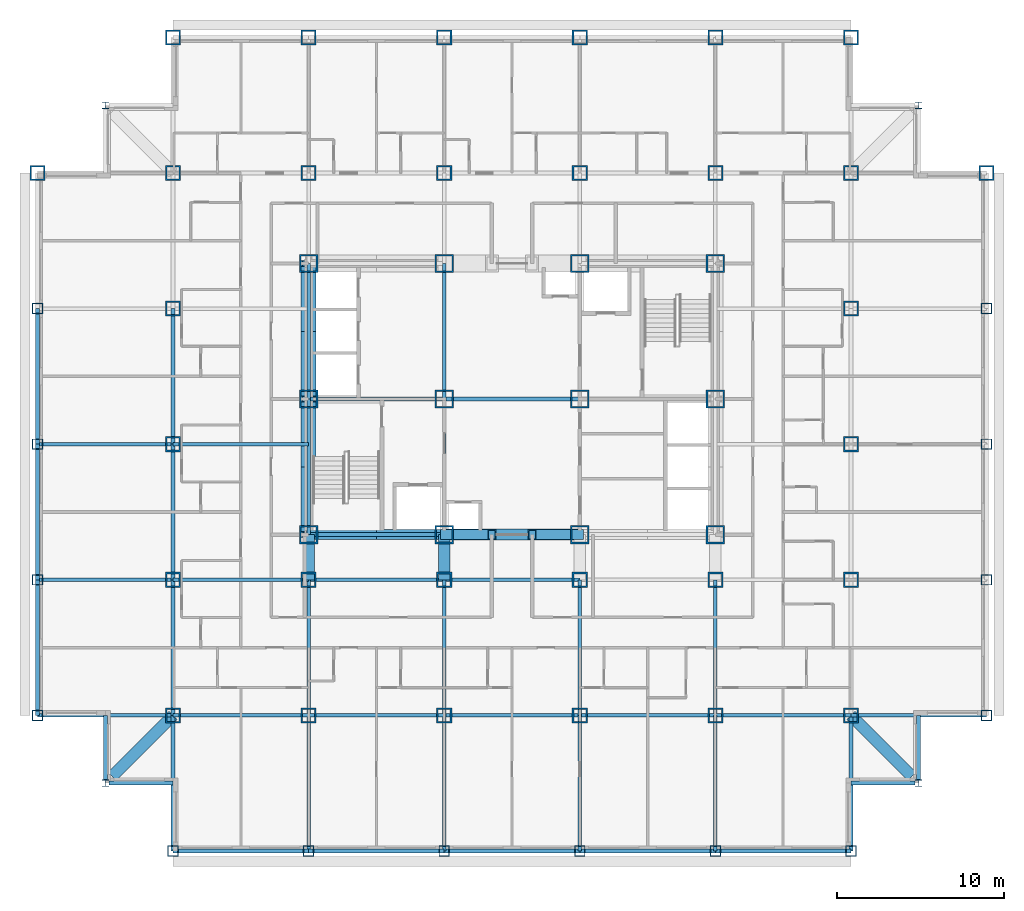
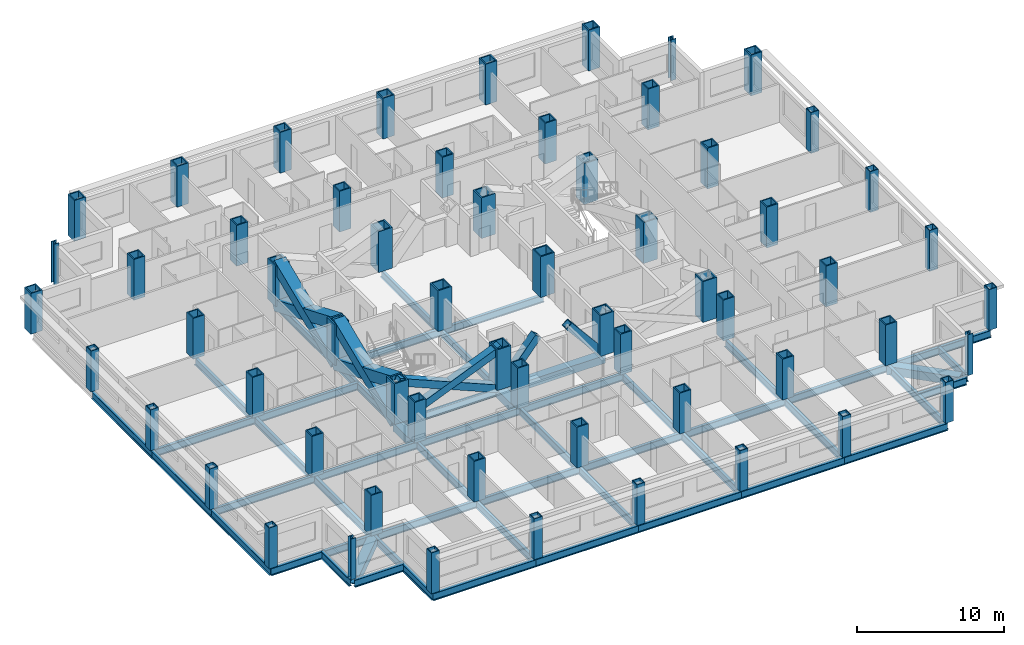
# One storey, part 1 of 12: 60 columns, 50 beams, 8 members.
"""IFC4 building model written with IfcOpenShell, lengths in metres."""

import ifcopenshell
import ifcopenshell.guid

model = None  # the IFC model being written
_history = None  # IfcOwnerHistory: only IFC2X3 demands one
_inside = {}  # id of a spatial element -> (the spatial element, [elements in it])
_under = {}  # id of a project, library or spatial element -> (it, [spatial elements below it])
_declared = {}  # id of a project -> (the project, [libraries it declares])
_typed = {}  # id of a type object -> (the type object, [elements of that type])
_made_of = {}  # id of a material, layer set ... -> (it, [elements and type objects made of it])


def new_model(schema):
    """Start an empty IFC model of exactly this schema.

    Asked for "IFC4X3", IfcOpenShell would pick the latest addendum, in which some entities
    have other attributes; the version numbers below select the first issue.
    IFC2X3 requires an IfcOwnerHistory on every rooted entity: one is made here for all.
    """
    global model, _history
    if schema == "IFC4X3":
        model = ifcopenshell.file(schema_version=(4, 3, 0, 0))
    else:
        model = ifcopenshell.file(schema=schema)
    _inside.clear()
    _under.clear()
    _declared.clear()
    _typed.clear()
    _made_of.clear()
    _history = None
    if model.schema == "IFC2X3":
        org = make("IfcOrganization", Name="unknown")
        user = make(
            "IfcPersonAndOrganization",
            ThePerson=make("IfcPerson", FamilyName="unknown"),
            TheOrganization=org,
        )
        app = make(
            "IfcApplication",
            ApplicationDeveloper=org,
            Version="unknown",
            ApplicationFullName="unknown",
            ApplicationIdentifier="unknown",
        )
        _history = make(
            "IfcOwnerHistory",
            OwningUser=user,
            OwningApplication=app,
            ChangeAction="ADDED",
            CreationDate=0,
        )
    return model


def make(cls, **values):
    """One entity of the class cls with the attributes given. An attribute that is None is left unset."""
    return model.create_entity(
        cls, **{name: value for name, value in values.items() if value is not None}
    )


def rooted(cls, **values):
    """An entity with a GlobalId (a new one), such as an element, a storey or a relation."""
    return make(cls, GlobalId=ifcopenshell.guid.new(), OwnerHistory=_history, **values)


def si_unit(unit_type, name, prefix=None):
    """IfcSIUnit, for example si_unit("LENGTHUNIT", "METRE", prefix="MILLI")."""
    return make("IfcSIUnit", UnitType=unit_type, Prefix=prefix, Name=name)


def assignment(units):
    """IfcUnitAssignment: the units of a project."""
    return None if units is None else make("IfcUnitAssignment", Units=units)


def point(xyz):
    """IfcCartesianPoint."""
    return None if xyz is None else make("IfcCartesianPoint", Coordinates=xyz)


def direction(xyz):
    """IfcDirection."""
    return None if xyz is None else make("IfcDirection", DirectionRatios=xyz)


def frame(location, z_axis=None, x_axis=None):
    """IfcAxis2Placement3D, a coordinate frame: its origin and axes. An axis left out is left unset."""
    return make(
        "IfcAxis2Placement3D",
        Location=point(location),
        Axis=direction(z_axis),
        RefDirection=direction(x_axis),
    )


def frame_2d(location, x_axis=None):
    """IfcAxis2Placement2D, a coordinate frame in the plane: its origin and x axis."""
    return make(
        "IfcAxis2Placement2D", Location=point(location), RefDirection=direction(x_axis)
    )


def origin():
    """The frame at (0, 0, 0) with its axes left unset."""
    return frame((0.0, 0.0, 0.0))


def origin_2d():
    """The frame at (0, 0) in the plane with its x axis left unset."""
    return frame_2d((0.0, 0.0))


def place(relative_to, where):
    """IfcLocalPlacement: puts the frame where relative to a parent placement (None: the world)."""
    return make(
        "IfcLocalPlacement", PlacementRelTo=relative_to, RelativePlacement=where
    )


def context(
    kind, dimensions, precision=None, world=None, true_north=None, identifier=None
):
    """IfcGeometricRepresentationContext, for example the 3D "Model" context."""
    return make(
        "IfcGeometricRepresentationContext",
        ContextIdentifier=identifier,
        ContextType=kind,
        CoordinateSpaceDimension=dimensions,
        Precision=precision,
        WorldCoordinateSystem=world,
        TrueNorth=true_north,
    )


def subcontext(parent, identifier, kind, view, scale=None):
    """IfcGeometricRepresentationSubContext, for example "Body" below "Model"."""
    return make(
        "IfcGeometricRepresentationSubContext",
        ContextIdentifier=identifier,
        ContextType=kind,
        ParentContext=parent,
        TargetScale=scale,
        TargetView=view,
    )


def project(units=None, contexts=None):
    """IfcProject with its units and contexts."""
    return rooted(
        "IfcProject",
        Name="project",
        RepresentationContexts=contexts,
        UnitsInContext=assignment(units),
    )


def spatial(cls, under=None, at=None, **own):
    """A site, building, storey or space (cls), placed at a placement, below another one or the project."""
    s = rooted(cls, ObjectPlacement=at, **own)
    if under is not None:
        _under.setdefault(under.id(), (under, []))[1].append(s)
    return s


def profile(cls, at=None, kind="AREA", **sizes):
    """A parametric profile (cls). Its sizes go by their IFC names, for example OverallWidth=200.0."""
    return make(cls, ProfileType=kind, Position=at, **sizes)


def hollow_rectangle(**sizes):
    """IfcRectangleHollowProfileDef."""
    return profile("IfcRectangleHollowProfileDef", **sizes)


def i_section(**sizes):
    """IfcIShapeProfileDef."""
    return profile("IfcIShapeProfileDef", **sizes)


def extrude(swept, where, along, depth):
    """IfcExtrudedAreaSolid: the profile swept, set in the frame where, extruded along a direction by depth."""
    return make(
        "IfcExtrudedAreaSolid",
        SweptArea=swept,
        Position=where,
        ExtrudedDirection=direction(along),
        Depth=depth,
    )


def shape(context_of_items, identifier, shape_type, items):
    """IfcShapeRepresentation: the items that make up one representation, for example the "Body"."""
    return make(
        "IfcShapeRepresentation",
        ContextOfItems=context_of_items,
        RepresentationIdentifier=identifier,
        RepresentationType=shape_type,
        Items=items,
    )


def material(Name=None, Category=None):
    """IfcMaterial."""
    return make("IfcMaterial", Name=Name, Category=Category)


def material_profile(
    of_material, cross_section, Name=None, Category=None, Priority=None
):
    """IfcMaterialProfile: a cross section and its material."""
    return make(
        "IfcMaterialProfile",
        Name=Name,
        Material=of_material,
        Profile=cross_section,
        Priority=Priority,
        Category=Category,
    )


def profile_set(profiles, Name=None, composite=None):
    """IfcMaterialProfileSet."""
    return make(
        "IfcMaterialProfileSet",
        Name=Name,
        MaterialProfiles=profiles,
        CompositeProfile=composite,
    )


def made_of(thing, what):
    """Note that an element or type object is made of a material, layer set ...; save() writes the relation."""
    if what is not None:
        _made_of.setdefault(what.id(), (what, []))[1].append(thing)
    return thing


def type_object(cls, material=None, **own):
    """A type object (cls), such as IfcWallType, which elements share."""
    return made_of(rooted(cls, **own), material)


def element(
    cls,
    number,
    at=None,
    inside=None,
    cuts=None,
    type_object=None,
    material=None,
    context=None,
    identifier="Body",
    shape_type=None,
    held_by="IfcProductDefinitionShape",
    body=None,
    shapes=None,
    **own,
):
    """One element of the class cls, such as IfcWall. Its Tag is "e" and its number.

    at: its placement. inside: the storey or other place that contains it. cuts: it is an
    opening in that element (IfcRelVoidsElement). A single representation is given by context,
    identifier, shape_type and body (its items); several are given by shapes. held_by: the class
    of the entity that holds the representations. save() writes the other relations.
    """
    e = rooted(cls, Tag="e%d" % number, ObjectPlacement=at, **own)
    if body is not None:
        shapes = [shape(context, identifier, shape_type, body)]
    if shapes is not None:
        e.Representation = make(held_by, Representations=shapes)
    if inside is not None:
        _inside.setdefault(inside.id(), (inside, []))[1].append(e)
    if cuts is not None:
        rooted(
            "IfcRelVoidsElement", RelatingBuildingElement=cuts, RelatedOpeningElement=e
        )
    if type_object is not None:
        _typed.setdefault(type_object.id(), (type_object, []))[1].append(e)
    return made_of(e, material)


def aggregate(whole, parts):
    """IfcRelAggregates: a whole, such as a stair, and the parts it consists of."""
    return rooted("IfcRelAggregates", RelatingObject=whole, RelatedObjects=parts)


def save(model, path):
    """Write the relations noted so far, then the file.

    IfcRelAggregates (storeys below a building ...), IfcRelContainedInSpatialStructure (elements
    in a storey), IfcRelDefinesByType, IfcRelAssociatesMaterial and IfcRelDeclares: one each for
    every whole, place, type object, material and project.
    """
    for whole, parts in _under.values():
        aggregate(whole, parts)
    for where, things in _inside.values():
        rooted(
            "IfcRelContainedInSpatialStructure",
            RelatedElements=things,
            RelatingStructure=where,
        )
    for kind, things in _typed.values():
        rooted("IfcRelDefinesByType", RelatedObjects=things, RelatingType=kind)
    for what, things in _made_of.values():
        rooted("IfcRelAssociatesMaterial", RelatedObjects=things, RelatingMaterial=what)
    for by, libraries in _declared.values():
        rooted("IfcRelDeclares", RelatingContext=by, RelatedDefinitions=libraries)
    model.write(path)


model = new_model("IFC4")

# Units and contexts
model_context = context("Model", 3, precision=1e-05, world=origin(), true_north=direction((0.0, 1.0)))
body_context = subcontext(model_context, "Body", "Model", "MODEL_VIEW")
ifc_project = project(units=[si_unit("LENGTHUNIT", "METRE"), si_unit("AREAUNIT", "SQUARE_METRE"), si_unit("VOLUMEUNIT", "CUBIC_METRE"), si_unit("PLANEANGLEUNIT", "RADIAN"), si_unit("MASSUNIT", "GRAM", prefix="KILO")], contexts=[model_context])

# Site, building, storey
site_placement = place(None, origin())
site = spatial("IfcSite", under=ifc_project, at=site_placement, CompositionType="ELEMENT")
building_placement = place(site_placement, origin())
building = spatial("IfcBuilding", under=site, at=building_placement, Name="Kopane Lantern Tower", CompositionType="ELEMENT")
storey_placement = place(building_placement, frame((0.0, 0.0, 117.0)))
storey = spatial("IfcBuildingStorey", under=building, at=storey_placement, Name="L29", CompositionType="ELEMENT", Elevation=117.0)

# Columns
ifc_material_1 = material(Name="Steel S355JR", Category="steel")
ifc_material_profile_1 = material_profile(ifc_material_1, hollow_rectangle(XDim=1.10009765625, YDim=1.10009765625, WallThickness=0.10009765625, at=origin_2d()), Name="BOX 1100x1100x100")
ifc_profile_set_1 = profile_set([ifc_material_profile_1], Name="Steel S355JR")
column_type_1 = type_object("IfcColumnType", Name="COLUMN BOX 1100x1100x100", PredefinedType="COLUMN", material=ifc_profile_set_1)
for number, where, z_axis, x_axis, name in (
    (1, (16.199951171875, 24.300048828125, 0.0), (0.0, 0.0, 1.0), (1.0, 0.0, 0.0), "Column 4/E L29"),
    (2, (16.199951171875, 32.39990234375, 0.0), (0.0, 0.0, 1.0), (1.0, 0.0, 0.0), "Column 4/F L29"),
    (3, (16.199951171875, 40.5, 0.0), (0.0, 0.0, 1.0), (1.0, 0.0, 0.0), "Column 4/G L29"),
    (4, (24.300048828125, 24.300048828125, 0.0), (0.0, 0.0, 1.0), (1.0, 0.0, 0.0), "Column 5/E L29"),
    (5, (24.300048828125, 32.39990234375, 0.0), (0.0, 0.0, 1.0), (1.0, 0.0, 0.0), "Column 5/F L29"),
    (6, (24.300048828125, 40.5, 0.0), (0.0, 0.0, 1.0), (1.0, 0.0, 0.0), "Column 5/G L29"),
    (7, (32.39990234375, 24.300048828125, 0.0), (0.0, 0.0, 1.0), (1.0, 0.0, 0.0), "Column 6/E L29"),
    (8, (32.39990234375, 32.39990234375, 0.0), (0.0, 0.0, 1.0), (1.0, 0.0, 0.0), "Column 6/F L29"),
    (9, (32.39990234375, 40.5, 0.0), (0.0, 0.0, 1.0), (1.0, 0.0, 0.0), "Column 6/G L29"),
    (10, (40.5, 24.300048828125, 0.0), (0.0, 0.0, 1.0), (1.0, 0.0, 0.0), "Column 7/E L29"),
    (11, (40.5, 32.39990234375, 0.0), (0.0, 0.0, 1.0), (1.0, 0.0, 0.0), "Column 7/F L29"),
    (12, (40.5, 40.5, 0.0), (0.0, 0.0, 1.0), (1.0, 0.0, 0.0), "Column 7/G L29"),
):
    element("IfcColumn", number, at=place(storey_placement, frame(where, z_axis=z_axis, x_axis=x_axis)), inside=storey, type_object=column_type_1, Name=name, PredefinedType="COLUMN", context=body_context, shape_type="SweptSolid", body=[
        extrude(hollow_rectangle(XDim=1.10009765625, YDim=1.10009765625, WallThickness=0.10009765625, at=origin_2d()), origin(), (0.0, 0.0, 1.0), 3.39990234375),
    ])
ifc_material_2 = material(Name="Steel S355JR", Category="steel")
ifc_material_profile_2 = material_profile(ifc_material_2, hollow_rectangle(XDim=0.64990234375, YDim=0.64990234375, WallThickness=0.054931640625, at=origin_2d()), Name="BOX 650x650x55")
ifc_profile_set_2 = profile_set([ifc_material_profile_2], Name="Steel S355JR")
column_type_2 = type_object("IfcColumnType", Name="COLUMN BOX 650x650x55", PredefinedType="COLUMN", material=ifc_profile_set_2)
for number, where, z_axis, x_axis, name in (
    (13, (0.0, 13.5, 0.0), (0.0, 0.0, 1.0), (1.0, 0.0, 0.0), "Column 2/P2 L29"),
    (14, (0.0, 21.60009765625, 0.0), (0.0, 0.0, 1.0), (1.0, 0.0, 0.0), "Column 2/P3 L29"),
    (15, (0.0, 29.699951171875, 0.0), (0.0, 0.0, 1.0), (1.0, 0.0, 0.0), "Column 2/P4 L29"),
    (16, (0.0, 37.800048828125, 0.0), (0.0, 0.0, 1.0), (1.0, 0.0, 0.0), "Column 2/P5 L29"),
    (17, (8.10009765625, 5.39990234375, 0.0), (0.0, 0.0, 1.0), (1.0, 0.0, 0.0), "Column 3/P1 L29"),
    (18, (16.199951171875, 5.39990234375, 0.0), (0.0, 0.0, 1.0), (1.0, 0.0, 0.0), "Column 4/P1 L29"),
    (19, (24.300048828125, 5.39990234375, 0.0), (0.0, 0.0, 1.0), (1.0, 0.0, 0.0), "Column 5/P1 L29"),
    (20, (32.39990234375, 5.39990234375, 0.0), (0.0, 0.0, 1.0), (1.0, 0.0, 0.0), "Column 6/P1 L29"),
    (21, (40.5, 5.39990234375, 0.0), (0.0, 0.0, 1.0), (1.0, 0.0, 0.0), "Column 7/P1 L29"),
    (22, (48.60009765625, 5.39990234375, 0.0), (0.0, 0.0, 1.0), (1.0, 0.0, 0.0), "Column 8/P1 L29"),
    (23, (56.699951171875, 13.5, 0.0), (0.0, 0.0, 1.0), (1.0, 0.0, 0.0), "Column 9/P2 L29"),
    (24, (56.699951171875, 21.60009765625, 0.0), (0.0, 0.0, 1.0), (1.0, 0.0, 0.0), "Column 9/P3 L29"),
    (25, (56.699951171875, 29.699951171875, 0.0), (0.0, 0.0, 1.0), (1.0, 0.0, 0.0), "Column 9/P4 L29"),
    (26, (56.699951171875, 37.800048828125, 0.0), (0.0, 0.0, 1.0), (1.0, 0.0, 0.0), "Column 9/P5 L29"),
):
    element("IfcColumn", number, at=place(storey_placement, frame(where, z_axis=z_axis, x_axis=x_axis)), inside=storey, type_object=column_type_2, Name=name, PredefinedType="COLUMN", context=body_context, shape_type="SweptSolid", body=[
        extrude(hollow_rectangle(XDim=0.64990234375, YDim=0.64990234375, WallThickness=0.054931640625, at=origin_2d()), origin(), (0.0, 0.0, 1.0), 3.39990234375),
    ])
ifc_material_3 = material(Name="Steel S355JR", Category="steel")
ifc_material_profile_3 = material_profile(ifc_material_3, hollow_rectangle(XDim=0.89990234375, YDim=0.89990234375, WallThickness=0.090087890625, at=origin_2d()), Name="BOX 900x900x90")
ifc_profile_set_3 = profile_set([ifc_material_profile_3], Name="Steel S355JR")
column_type_3 = type_object("IfcColumnType", Name="COLUMN BOX 900x900x90", PredefinedType="COLUMN", material=ifc_profile_set_3)
for number, where, z_axis, x_axis, name in (
    (27, (0.0, 45.89990234375, 0.0), (0.0, 0.0, 1.0), (1.0, 0.0, 0.0), "Column 2/P6 L29"),
    (28, (8.10009765625, 13.5, 0.0), (0.0, 0.0, 1.0), (1.0, 0.0, 0.0), "Column 3/P2 L29"),
    (29, (8.10009765625, 21.60009765625, 0.0), (0.0, 0.0, 1.0), (1.0, 0.0, 0.0), "Column 3/P3 L29"),
    (30, (8.10009765625, 29.699951171875, 0.0), (0.0, 0.0, 1.0), (1.0, 0.0, 0.0), "Column 3/P4 L29"),
    (31, (8.10009765625, 37.800048828125, 0.0), (0.0, 0.0, 1.0), (1.0, 0.0, 0.0), "Column 3/P5 L29"),
    (32, (8.10009765625, 45.89990234375, 0.0), (0.0, 0.0, 1.0), (1.0, 0.0, 0.0), "Column 3/P6 L29"),
    (33, (8.10009765625, 54.0, 0.0), (0.0, 0.0, 1.0), (1.0, 0.0, 0.0), "Column 3/P7 L29"),
    (34, (16.199951171875, 13.5, 0.0), (0.0, 0.0, 1.0), (1.0, 0.0, 0.0), "Column 4/P2 L29"),
    (35, (16.199951171875, 21.60009765625, 0.0), (0.0, 0.0, 1.0), (1.0, 0.0, 0.0), "Column 4/P3 L29"),
    (36, (16.199951171875, 45.89990234375, 0.0), (0.0, 0.0, 1.0), (1.0, 0.0, 0.0), "Column 4/P6 L29"),
    (37, (16.199951171875, 54.0, 0.0), (0.0, 0.0, 1.0), (1.0, 0.0, 0.0), "Column 4/P7 L29"),
    (38, (24.300048828125, 13.5, 0.0), (0.0, 0.0, 1.0), (1.0, 0.0, 0.0), "Column 5/P2 L29"),
    (39, (24.300048828125, 21.60009765625, 0.0), (0.0, 0.0, 1.0), (1.0, 0.0, 0.0), "Column 5/P3 L29"),
    (40, (24.300048828125, 45.89990234375, 0.0), (0.0, 0.0, 1.0), (1.0, 0.0, 0.0), "Column 5/P6 L29"),
    (41, (24.300048828125, 54.0, 0.0), (0.0, 0.0, 1.0), (1.0, 0.0, 0.0), "Column 5/P7 L29"),
    (42, (32.39990234375, 13.5, 0.0), (0.0, 0.0, 1.0), (1.0, 0.0, 0.0), "Column 6/P2 L29"),
    (43, (32.39990234375, 21.60009765625, 0.0), (0.0, 0.0, 1.0), (1.0, 0.0, 0.0), "Column 6/P3 L29"),
    (44, (32.39990234375, 45.89990234375, 0.0), (0.0, 0.0, 1.0), (1.0, 0.0, 0.0), "Column 6/P6 L29"),
    (45, (32.39990234375, 54.0, 0.0), (0.0, 0.0, 1.0), (1.0, 0.0, 0.0), "Column 6/P7 L29"),
    (46, (40.5, 13.5, 0.0), (0.0, 0.0, 1.0), (1.0, 0.0, 0.0), "Column 7/P2 L29"),
    (47, (40.5, 21.60009765625, 0.0), (0.0, 0.0, 1.0), (1.0, 0.0, 0.0), "Column 7/P3 L29"),
    (48, (40.5, 45.89990234375, 0.0), (0.0, 0.0, 1.0), (1.0, 0.0, 0.0), "Column 7/P6 L29"),
    (49, (40.5, 54.0, 0.0), (0.0, 0.0, 1.0), (1.0, 0.0, 0.0), "Column 7/P7 L29"),
    (50, (48.60009765625, 13.5, 0.0), (0.0, 0.0, 1.0), (1.0, 0.0, 0.0), "Column 8/P2 L29"),
    (51, (48.60009765625, 21.60009765625, 0.0), (0.0, 0.0, 1.0), (1.0, 0.0, 0.0), "Column 8/P3 L29"),
    (52, (48.60009765625, 29.699951171875, 0.0), (0.0, 0.0, 1.0), (1.0, 0.0, 0.0), "Column 8/P4 L29"),
    (53, (48.60009765625, 37.800048828125, 0.0), (0.0, 0.0, 1.0), (1.0, 0.0, 0.0), "Column 8/P5 L29"),
    (54, (48.60009765625, 45.89990234375, 0.0), (0.0, 0.0, 1.0), (1.0, 0.0, 0.0), "Column 8/P6 L29"),
    (55, (48.60009765625, 54.0, 0.0), (0.0, 0.0, 1.0), (1.0, 0.0, 0.0), "Column 8/P7 L29"),
    (56, (56.699951171875, 45.89990234375, 0.0), (0.0, 0.0, 1.0), (1.0, 0.0, 0.0), "Column 9/P6 L29"),
):
    element("IfcColumn", number, at=place(storey_placement, frame(where, z_axis=z_axis, x_axis=x_axis)), inside=storey, type_object=column_type_3, Name=name, PredefinedType="COLUMN", context=body_context, shape_type="SweptSolid", body=[
        extrude(hollow_rectangle(XDim=0.89990234375, YDim=0.89990234375, WallThickness=0.090087890625, at=origin_2d()), origin(), (0.0, 0.0, 1.0), 3.39990234375),
    ])
ifc_material_4 = material(Name="Steel S355JR", Category="steel")
ifc_material_profile_4 = material_profile(ifc_material_4, i_section(OverallWidth=0.406982421875, OverallDepth=0.4189453125, WebThickness=0.030517578125, FlangeThickness=0.04931640625, FilletRadius=0.01513671875, at=origin_2d()), Name="UC 356x406x393")
ifc_profile_set_4 = profile_set([ifc_material_profile_4], Name="Steel S355JR")
column_type_4 = type_object("IfcColumnType", Name="COLUMN UC 356x406x393", PredefinedType="COLUMN", material=ifc_profile_set_4)
for number, where, z_axis, x_axis, name in (
    (57, (4.050048828125, 9.449951171875, 0.0), (0.0, 0.0, 1.0), (1.0, 0.0, 0.0), "Column 4.05/9.45 L29"),
    (58, (4.050048828125, 49.949951171875, 0.0), (0.0, 0.0, 1.0), (1.0, 0.0, 0.0), "Column 4.05/49.95 L29"),
    (59, (52.64990234375, 9.449951171875, 0.0), (0.0, 0.0, 1.0), (1.0, 0.0, 0.0), "Column 52.65/9.45 L29"),
    (60, (52.64990234375, 49.949951171875, 0.0), (0.0, 0.0, 1.0), (1.0, 0.0, 0.0), "Column 52.65/49.95 L29"),
):
    element("IfcColumn", number, at=place(storey_placement, frame(where, z_axis=z_axis, x_axis=x_axis)), inside=storey, type_object=column_type_4, Name=name, PredefinedType="COLUMN", context=body_context, shape_type="SweptSolid", body=[
        extrude(i_section(OverallWidth=0.406982421875, OverallDepth=0.4189453125, WebThickness=0.030517578125, FlangeThickness=0.04931640625, FilletRadius=0.01513671875, at=origin_2d()), origin(), (0.0, 0.0, 1.0), 3.39990234375),
    ])

# Members
ifc_material_5 = material(Name="Steel S355JR", Category="steel")
ifc_material_profile_5 = material_profile(ifc_material_5, hollow_rectangle(XDim=0.60009765625, YDim=0.60009765625, WallThickness=0.050048828125, at=origin_2d()), Name="BOX 600x600x50")
ifc_profile_set_5 = profile_set([ifc_material_profile_5], Name="Steel S355JR")
member_type_1 = type_object("IfcMemberType", Name="BRACE BOX 600x600x50", PredefinedType="BRACE", material=ifc_profile_set_5)
for number, where, z_axis, x_axis, name in (
    (61, (16.199951171875, 24.300048828125, -0.2099609375), (0.922069000757, 0.0, 0.387025526088), (0.0, 1.0, 0.0), "Core brace L29"),
    (62, (24.300048828125, 24.300048828125, -0.2099609375), (-0.922069000757, 0.0, 0.387025526088), (0.0, -1.0, 0.0), "Core brace L29"),
):
    element("IfcMember", number, at=place(storey_placement, frame(where, z_axis=z_axis, x_axis=x_axis)), inside=storey, type_object=member_type_1, Name=name, PredefinedType="BRACE", context=body_context, shape_type="SweptSolid", body=[
        extrude(hollow_rectangle(XDim=0.60009765625, YDim=0.60009765625, WallThickness=0.050048828125, at=origin_2d()), origin(), (0.0, 0.0, 1.0), 8.78466796875),
    ])
for number, where, z_axis, x_axis, name in (
    (63, (24.300048828125, 24.300048828125, -0.2099609375), (0.642390257445, 0.0, 0.7663776857), (0.0, 1.0, 0.0), "Core brace L29"),
    (64, (32.39990234375, 24.300048828125, -0.2099609375), (-0.642390257445, 0.0, 0.7663776857), (0.0, -1.0, 0.0), "Core brace L29"),
):
    element("IfcMember", number, at=place(storey_placement, frame(where, z_axis=z_axis, x_axis=x_axis)), inside=storey, type_object=member_type_1, Name=name, PredefinedType="BRACE", context=body_context, shape_type="SweptSolid", body=[
        extrude(hollow_rectangle(XDim=0.60009765625, YDim=0.60009765625, WallThickness=0.050048828125, at=origin_2d()), origin(), (0.0, 0.0, 1.0), 4.436279296875),
    ])
ifc_material_6 = material(Name="Steel S355JR", Category="steel")
ifc_material_profile_6 = material_profile(ifc_material_6, hollow_rectangle(XDim=0.89990234375, YDim=0.89990234375, WallThickness=0.090087890625, at=origin_2d()), Name="BOX 900x900x90")
ifc_profile_set_6 = profile_set([ifc_material_profile_6], Name="Steel S355JR")
member_type_2 = type_object("IfcMemberType", Name="BRACE BOX 900x900x90", PredefinedType="BRACE", material=ifc_profile_set_6)
for number, where, z_axis, x_axis, name in (
    (65, (16.199951171875, 24.300048828125, -0.2099609375), (0.0, 0.922064837731, 0.38703544414), (-1.0, 0.0, 0.0), "Core brace L29"),
    (66, (16.199951171875, 32.39990234375, -0.2099609375), (0.0, -0.922064837731, 0.38703544414), (1.0, 0.0, 0.0), "Core brace L29"),
):
    element("IfcMember", number, at=place(storey_placement, frame(where, z_axis=z_axis, x_axis=x_axis)), inside=storey, type_object=member_type_2, Name=name, PredefinedType="BRACE", context=body_context, shape_type="SweptSolid", body=[
        extrude(hollow_rectangle(XDim=0.89990234375, YDim=0.89990234375, WallThickness=0.090087890625, at=origin_2d()), origin(), (0.0, 0.0, 1.0), 8.784423828125),
    ])
for number, where, z_axis, x_axis, name in (
    (67, (16.199951171875, 32.39990234375, -0.2099609375), (0.0, 0.922069000757, 0.387025526088), (-1.0, 0.0, 0.0), "Core brace L29"),
    (68, (16.199951171875, 40.5, -0.2099609375), (0.0, -0.922069000757, 0.387025526088), (1.0, 0.0, 0.0), "Core brace L29"),
):
    element("IfcMember", number, at=place(storey_placement, frame(where, z_axis=z_axis, x_axis=x_axis)), inside=storey, type_object=member_type_2, Name=name, PredefinedType="BRACE", context=body_context, shape_type="SweptSolid", body=[
        extrude(hollow_rectangle(XDim=0.89990234375, YDim=0.89990234375, WallThickness=0.090087890625, at=origin_2d()), origin(), (0.0, 0.0, 1.0), 8.78466796875),
    ])

# Beams
ifc_material_7 = material(Name="Steel S355JR", Category="steel")
ifc_material_profile_7 = material_profile(ifc_material_7, i_section(OverallWidth=0.22900390625, OverallDepth=0.6123046875, WebThickness=0.011962890625, FlangeThickness=0.01953125, FilletRadius=0.0126953125, at=origin_2d()), Name="UB 610x229x125")
ifc_profile_set_7 = profile_set([ifc_material_profile_7], Name="Steel S355JR")
beam_type_1 = type_object("IfcBeamType", Name="CORE BEAM UB 610x229x125", PredefinedType="BEAM", material=ifc_profile_set_7)
beam_1_placement = place(storey_placement, frame((16.199951171875, 32.39990234375, -0.51611328125), z_axis=(1.0, 0.0, 0.0), x_axis=(0.0, 1.0, 0.0)))
element("IfcBeam", 69, at=beam_1_placement, inside=storey, type_object=beam_type_1, Name="Core Beam L29", PredefinedType="BEAM", context=body_context, shape_type="SweptSolid", body=[
    extrude(i_section(OverallWidth=0.22900390625, OverallDepth=0.6123046875, WebThickness=0.011962890625, FlangeThickness=0.01953125, FilletRadius=0.0126953125, at=origin_2d()), origin(), (0.0, 0.0, 1.0), 8.10009765625),
])
beam_2_placement = place(storey_placement, frame((24.300048828125, 24.300048828125, -0.51611328125), z_axis=(0.0, 1.0, 0.0), x_axis=(-1.0, 0.0, 0.0)))
element("IfcBeam", 70, at=beam_2_placement, inside=storey, type_object=beam_type_1, Name="Core Beam L29", PredefinedType="BEAM", context=body_context, shape_type="SweptSolid", body=[
    extrude(i_section(OverallWidth=0.22900390625, OverallDepth=0.6123046875, WebThickness=0.011962890625, FlangeThickness=0.01953125, FilletRadius=0.0126953125, at=origin_2d()), origin(), (0.0, 0.0, 1.0), 8.099853515625),
])
beam_3_placement = place(storey_placement, frame((24.300048828125, 32.39990234375, -0.51611328125), z_axis=(0.0, 1.0, 0.0), x_axis=(-1.0, 0.0, 0.0)))
element("IfcBeam", 71, at=beam_3_placement, inside=storey, type_object=beam_type_1, Name="Core Beam L29", PredefinedType="BEAM", context=body_context, shape_type="SweptSolid", body=[
    extrude(i_section(OverallWidth=0.22900390625, OverallDepth=0.6123046875, WebThickness=0.011962890625, FlangeThickness=0.01953125, FilletRadius=0.0126953125, at=origin_2d()), origin(), (0.0, 0.0, 1.0), 8.10009765625),
])
beam_4_placement = place(storey_placement, frame((24.300048828125, 32.39990234375, -0.51611328125), z_axis=(1.0, 0.0, 0.0), x_axis=(0.0, 1.0, 0.0)))
element("IfcBeam", 72, at=beam_4_placement, inside=storey, type_object=beam_type_1, Name="Core Beam L29", PredefinedType="BEAM", context=body_context, shape_type="SweptSolid", body=[
    extrude(i_section(OverallWidth=0.22900390625, OverallDepth=0.6123046875, WebThickness=0.011962890625, FlangeThickness=0.01953125, FilletRadius=0.0126953125, at=origin_2d()), origin(), (0.0, 0.0, 1.0), 8.099853515625),
])
ifc_material_8 = material(Name="Steel S355JR", Category="steel")
ifc_material_profile_8 = material_profile(ifc_material_8, hollow_rectangle(XDim=0.699951171875, YDim=0.699951171875, WallThickness=0.06005859375, at=origin_2d()), Name="BOX 700x700x60")
ifc_profile_set_8 = profile_set([ifc_material_profile_8], Name="Steel S355JR")
beam_type_2 = type_object("IfcBeamType", Name="CORNER TIE BEAM BOX 700x700x60", PredefinedType="BEAM", material=ifc_profile_set_8)
beam_5_placement = place(storey_placement, frame((4.447509765625, 9.847412109375, -0.56005859375), z_axis=(0.707106781187, 0.707106781187, 0.0), x_axis=(-0.707106781187, 0.707106781187, 0.0)))
element("IfcBeam", 73, at=beam_5_placement, inside=storey, type_object=beam_type_2, Name="Corner Tie Beam L29", PredefinedType="BEAM", context=body_context, shape_type="SweptSolid", body=[
    extrude(hollow_rectangle(XDim=0.699951171875, YDim=0.699951171875, WallThickness=0.06005859375, at=origin_2d()), origin(), (0.0, 0.0, 1.0), 5.16552734375),
])
beam_6_placement = place(storey_placement, frame((52.25244140625, 9.847412109375, -0.56005859375), z_axis=(-0.707083148333, 0.70713041325, 0.0), x_axis=(-0.70713041325, -0.707083148333, 0.0)))
element("IfcBeam", 74, at=beam_6_placement, inside=storey, type_object=beam_type_2, Name="Corner Tie Beam L29", PredefinedType="BEAM", context=body_context, shape_type="SweptSolid", body=[
    extrude(hollow_rectangle(XDim=0.699951171875, YDim=0.699951171875, WallThickness=0.06005859375, at=origin_2d()), origin(), (0.0, 0.0, 1.0), 5.165283203125),
])
ifc_material_9 = material(Name="Steel S355JR", Category="steel")
ifc_material_profile_9 = material_profile(ifc_material_9, i_section(OverallWidth=0.22900390625, OverallDepth=0.6123046875, WebThickness=0.011962890625, FlangeThickness=0.01953125, FilletRadius=0.0126953125, at=origin_2d()), Name="UB 610x229x125")
ifc_profile_set_9 = profile_set([ifc_material_profile_9], Name="Steel S355JR")
beam_type_3 = type_object("IfcBeamType", Name="EDGE BEAM UB 610x229x125", PredefinedType="BEAM", material=ifc_profile_set_9)
beam_7_placement = place(storey_placement, frame((4.050048828125, 9.653564453125, -0.51611328125), z_axis=(0.0, 1.0, 0.0), x_axis=(-1.0, 0.0, 0.0)))
element("IfcBeam", 75, at=beam_7_placement, inside=storey, type_object=beam_type_3, Name="Edge Beam L29", PredefinedType="BEAM", context=body_context, shape_type="SweptSolid", body=[
    extrude(i_section(OverallWidth=0.22900390625, OverallDepth=0.6123046875, WebThickness=0.011962890625, FlangeThickness=0.01953125, FilletRadius=0.0126953125, at=origin_2d()), origin(), (0.0, 0.0, 1.0), 3.846435546875),
])
beam_8_placement = place(storey_placement, frame((4.25341796875, 9.449951171875, -0.51611328125), z_axis=(1.0, 0.0, 0.0), x_axis=(0.0, 1.0, 0.0)))
element("IfcBeam", 76, at=beam_8_placement, inside=storey, type_object=beam_type_3, Name="Edge Beam L29", PredefinedType="BEAM", context=body_context, shape_type="SweptSolid", body=[
    extrude(i_section(OverallWidth=0.22900390625, OverallDepth=0.6123046875, WebThickness=0.011962890625, FlangeThickness=0.01953125, FilletRadius=0.0126953125, at=origin_2d()), origin(), (0.0, 0.0, 1.0), 3.8466796875),
])
for number, where, z_axis, x_axis, name in (
    (77, (52.446533203125, 9.449951171875, -0.51611328125), (-1.0, 0.0, 0.0), (0.0, -1.0, 0.0), "Edge Beam L29"),
    (78, (52.64990234375, 9.653564453125, -0.51611328125), (0.0, 1.0, 0.0), (-1.0, 0.0, 0.0), "Edge Beam L29"),
):
    element("IfcBeam", number, at=place(storey_placement, frame(where, z_axis=z_axis, x_axis=x_axis)), inside=storey, type_object=beam_type_3, Name=name, PredefinedType="BEAM", context=body_context, shape_type="SweptSolid", body=[
        extrude(i_section(OverallWidth=0.22900390625, OverallDepth=0.6123046875, WebThickness=0.011962890625, FlangeThickness=0.01953125, FilletRadius=0.0126953125, at=origin_2d()), origin(), (0.0, 0.0, 1.0), 3.846435546875),
    ])
ifc_material_10 = material(Name="Steel S355JR", Category="steel")
ifc_material_profile_10 = material_profile(ifc_material_10, hollow_rectangle(XDim=0.699951171875, YDim=0.699951171875, WallThickness=0.06005859375, at=origin_2d()), Name="BOX 700x700x60")
ifc_profile_set_10 = profile_set([ifc_material_profile_10], Name="Steel S355JR")
beam_type_4 = type_object("IfcBeamType", Name="GIRDER BOX 700x700x60", PredefinedType="BEAM", material=ifc_profile_set_10)
for number, where, z_axis, x_axis, name in (
    (79, (16.199951171875, 21.60009765625, -0.56005859375), (0.0, 1.0, 0.0), (-1.0, 0.0, 0.0), "Girder L29"),
    (80, (24.300048828125, 21.60009765625, -0.56005859375), (0.0, 1.0, 0.0), (-1.0, 0.0, 0.0), "Girder L29"),
):
    element("IfcBeam", number, at=place(storey_placement, frame(where, z_axis=z_axis, x_axis=x_axis)), inside=storey, type_object=beam_type_4, Name=name, PredefinedType="BEAM", context=body_context, shape_type="SweptSolid", body=[
        extrude(hollow_rectangle(XDim=0.699951171875, YDim=0.699951171875, WallThickness=0.06005859375, at=origin_2d()), origin(), (0.0, 0.0, 1.0), 2.699951171875),
    ])
ifc_material_11 = material(Name="Steel S355JR", Category="steel")
ifc_material_profile_11 = material_profile(ifc_material_11, i_section(OverallWidth=0.22900390625, OverallDepth=0.6123046875, WebThickness=0.011962890625, FlangeThickness=0.01953125, FilletRadius=0.0126953125, at=origin_2d()), Name="UB 610x229x125")
ifc_profile_set_11 = profile_set([ifc_material_profile_11], Name="Steel S355JR")
beam_type_5 = type_object("IfcBeamType", Name="GIRDER UB 610x229x125", PredefinedType="BEAM", material=ifc_profile_set_11)
for number, where, z_axis, x_axis, name in (
    (81, (0.0, 13.5, -0.51611328125), (0.0, 1.0, 0.0), (-1.0, 0.0, 0.0), "Girder L29"),
    (82, (0.0, 13.5, -0.51611328125), (1.0, 0.0, 0.0), (0.0, 1.0, 0.0), "Girder L29"),
):
    element("IfcBeam", number, at=place(storey_placement, frame(where, z_axis=z_axis, x_axis=x_axis)), inside=storey, type_object=beam_type_5, Name=name, PredefinedType="BEAM", context=body_context, shape_type="SweptSolid", body=[
        extrude(i_section(OverallWidth=0.22900390625, OverallDepth=0.6123046875, WebThickness=0.011962890625, FlangeThickness=0.01953125, FilletRadius=0.0126953125, at=origin_2d()), origin(), (0.0, 0.0, 1.0), 8.10009765625),
    ])
beam_9_placement = place(storey_placement, frame((0.0, 21.60009765625, -0.51611328125), z_axis=(0.0, 1.0, 0.0), x_axis=(-1.0, 0.0, 0.0)))
element("IfcBeam", 83, at=beam_9_placement, inside=storey, type_object=beam_type_5, Name="Girder L29", PredefinedType="BEAM", context=body_context, shape_type="SweptSolid", body=[
    extrude(i_section(OverallWidth=0.22900390625, OverallDepth=0.6123046875, WebThickness=0.011962890625, FlangeThickness=0.01953125, FilletRadius=0.0126953125, at=origin_2d()), origin(), (0.0, 0.0, 1.0), 8.099853515625),
])
for number, where, z_axis, x_axis, name in (
    (84, (0.0, 21.60009765625, -0.51611328125), (1.0, 0.0, 0.0), (0.0, 1.0, 0.0), "Girder L29"),
    (85, (0.0, 29.699951171875, -0.51611328125), (0.0, 1.0, 0.0), (-1.0, 0.0, 0.0), "Girder L29"),
    (86, (0.0, 29.699951171875, -0.51611328125), (1.0, 0.0, 0.0), (0.0, 1.0, 0.0), "Girder L29"),
    (87, (8.10009765625, 5.39990234375, -0.51611328125), (0.0, 1.0, 0.0), (-1.0, 0.0, 0.0), "Girder L29"),
):
    element("IfcBeam", number, at=place(storey_placement, frame(where, z_axis=z_axis, x_axis=x_axis)), inside=storey, type_object=beam_type_5, Name=name, PredefinedType="BEAM", context=body_context, shape_type="SweptSolid", body=[
        extrude(i_section(OverallWidth=0.22900390625, OverallDepth=0.6123046875, WebThickness=0.011962890625, FlangeThickness=0.01953125, FilletRadius=0.0126953125, at=origin_2d()), origin(), (0.0, 0.0, 1.0), 8.10009765625),
    ])
beam_10_placement = place(storey_placement, frame((8.10009765625, 5.39990234375, -0.51611328125), z_axis=(1.0, 0.0, 0.0), x_axis=(0.0, 1.0, 0.0)))
element("IfcBeam", 88, at=beam_10_placement, inside=storey, type_object=beam_type_5, Name="Girder L29", PredefinedType="BEAM", context=body_context, shape_type="SweptSolid", body=[
    extrude(i_section(OverallWidth=0.22900390625, OverallDepth=0.6123046875, WebThickness=0.011962890625, FlangeThickness=0.01953125, FilletRadius=0.0126953125, at=origin_2d()), origin(), (0.0, 0.0, 1.0), 8.099853515625),
])
beam_11_placement = place(storey_placement, frame((8.10009765625, 13.5, -0.51611328125), z_axis=(0.0, 1.0, 0.0), x_axis=(-1.0, 0.0, 0.0)))
element("IfcBeam", 89, at=beam_11_placement, inside=storey, type_object=beam_type_5, Name="Girder L29", PredefinedType="BEAM", context=body_context, shape_type="SweptSolid", body=[
    extrude(i_section(OverallWidth=0.22900390625, OverallDepth=0.6123046875, WebThickness=0.011962890625, FlangeThickness=0.01953125, FilletRadius=0.0126953125, at=origin_2d()), origin(), (0.0, 0.0, 1.0), 8.10009765625),
])
for number, where, z_axis, x_axis, name in (
    (90, (8.10009765625, 13.5, -0.51611328125), (1.0, 0.0, 0.0), (0.0, 1.0, 0.0), "Girder L29"),
    (91, (8.10009765625, 21.60009765625, -0.51611328125), (0.0, 1.0, 0.0), (-1.0, 0.0, 0.0), "Girder L29"),
    (92, (8.10009765625, 21.60009765625, -0.51611328125), (1.0, 0.0, 0.0), (0.0, 1.0, 0.0), "Girder L29"),
):
    element("IfcBeam", number, at=place(storey_placement, frame(where, z_axis=z_axis, x_axis=x_axis)), inside=storey, type_object=beam_type_5, Name=name, PredefinedType="BEAM", context=body_context, shape_type="SweptSolid", body=[
        extrude(i_section(OverallWidth=0.22900390625, OverallDepth=0.6123046875, WebThickness=0.011962890625, FlangeThickness=0.01953125, FilletRadius=0.0126953125, at=origin_2d()), origin(), (0.0, 0.0, 1.0), 8.099853515625),
    ])
beam_12_placement = place(storey_placement, frame((8.10009765625, 29.699951171875, -0.51611328125), z_axis=(0.0, 1.0, 0.0), x_axis=(-1.0, 0.0, 0.0)))
element("IfcBeam", 93, at=beam_12_placement, inside=storey, type_object=beam_type_5, Name="Girder L29", PredefinedType="BEAM", context=body_context, shape_type="SweptSolid", body=[
    extrude(i_section(OverallWidth=0.22900390625, OverallDepth=0.6123046875, WebThickness=0.011962890625, FlangeThickness=0.01953125, FilletRadius=0.0126953125, at=origin_2d()), origin(), (0.0, 0.0, 1.0), 8.10009765625),
])
beam_13_placement = place(storey_placement, frame((8.10009765625, 29.699951171875, -0.51611328125), z_axis=(1.0, 0.0, 0.0), x_axis=(0.0, 1.0, 0.0)))
element("IfcBeam", 94, at=beam_13_placement, inside=storey, type_object=beam_type_5, Name="Girder L29", PredefinedType="BEAM", context=body_context, shape_type="SweptSolid", body=[
    extrude(i_section(OverallWidth=0.22900390625, OverallDepth=0.6123046875, WebThickness=0.011962890625, FlangeThickness=0.01953125, FilletRadius=0.0126953125, at=origin_2d()), origin(), (0.0, 0.0, 1.0), 8.099853515625),
])
for number, where, z_axis, x_axis, name in (
    (95, (16.199951171875, 5.39990234375, -0.51611328125), (0.0, 1.0, 0.0), (-1.0, 0.0, 0.0), "Girder L29"),
    (96, (16.199951171875, 5.39990234375, -0.51611328125), (1.0, 0.0, 0.0), (0.0, 1.0, 0.0), "Girder L29"),
    (97, (16.199951171875, 13.5, -0.51611328125), (0.0, 1.0, 0.0), (-1.0, 0.0, 0.0), "Girder L29"),
    (98, (16.199951171875, 13.5, -0.51611328125), (1.0, 0.0, 0.0), (0.0, 1.0, 0.0), "Girder L29"),
    (99, (16.199951171875, 21.60009765625, -0.51611328125), (1.0, 0.0, 0.0), (0.0, 1.0, 0.0), "Girder L29"),
):
    element("IfcBeam", number, at=place(storey_placement, frame(where, z_axis=z_axis, x_axis=x_axis)), inside=storey, type_object=beam_type_5, Name=name, PredefinedType="BEAM", context=body_context, shape_type="SweptSolid", body=[
        extrude(i_section(OverallWidth=0.22900390625, OverallDepth=0.6123046875, WebThickness=0.011962890625, FlangeThickness=0.01953125, FilletRadius=0.0126953125, at=origin_2d()), origin(), (0.0, 0.0, 1.0), 8.10009765625),
    ])
beam_14_placement = place(storey_placement, frame((16.199951171875, 24.300048828125, -0.51611328125), z_axis=(0.0, 1.0, 0.0), x_axis=(-1.0, 0.0, 0.0)))
element("IfcBeam", 100, at=beam_14_placement, inside=storey, type_object=beam_type_5, Name="Girder L29", PredefinedType="BEAM", context=body_context, shape_type="SweptSolid", body=[
    extrude(i_section(OverallWidth=0.22900390625, OverallDepth=0.6123046875, WebThickness=0.011962890625, FlangeThickness=0.01953125, FilletRadius=0.0126953125, at=origin_2d()), origin(), (0.0, 0.0, 1.0), 8.099853515625),
])
for number, where, z_axis, x_axis, name in (
    (101, (16.199951171875, 24.300048828125, -0.51611328125), (1.0, 0.0, 0.0), (0.0, 1.0, 0.0), "Girder L29"),
    (102, (16.199951171875, 32.39990234375, -0.51611328125), (0.0, 1.0, 0.0), (-1.0, 0.0, 0.0), "Girder L29"),
    (103, (24.300048828125, 5.39990234375, -0.51611328125), (0.0, 1.0, 0.0), (-1.0, 0.0, 0.0), "Girder L29"),
):
    element("IfcBeam", number, at=place(storey_placement, frame(where, z_axis=z_axis, x_axis=x_axis)), inside=storey, type_object=beam_type_5, Name=name, PredefinedType="BEAM", context=body_context, shape_type="SweptSolid", body=[
        extrude(i_section(OverallWidth=0.22900390625, OverallDepth=0.6123046875, WebThickness=0.011962890625, FlangeThickness=0.01953125, FilletRadius=0.0126953125, at=origin_2d()), origin(), (0.0, 0.0, 1.0), 8.10009765625),
    ])
beam_15_placement = place(storey_placement, frame((24.300048828125, 5.39990234375, -0.51611328125), z_axis=(1.0, 0.0, 0.0), x_axis=(0.0, 1.0, 0.0)))
element("IfcBeam", 104, at=beam_15_placement, inside=storey, type_object=beam_type_5, Name="Girder L29", PredefinedType="BEAM", context=body_context, shape_type="SweptSolid", body=[
    extrude(i_section(OverallWidth=0.22900390625, OverallDepth=0.6123046875, WebThickness=0.011962890625, FlangeThickness=0.01953125, FilletRadius=0.0126953125, at=origin_2d()), origin(), (0.0, 0.0, 1.0), 8.099853515625),
])
beam_16_placement = place(storey_placement, frame((24.300048828125, 13.5, -0.51611328125), z_axis=(0.0, 1.0, 0.0), x_axis=(-1.0, 0.0, 0.0)))
element("IfcBeam", 105, at=beam_16_placement, inside=storey, type_object=beam_type_5, Name="Girder L29", PredefinedType="BEAM", context=body_context, shape_type="SweptSolid", body=[
    extrude(i_section(OverallWidth=0.22900390625, OverallDepth=0.6123046875, WebThickness=0.011962890625, FlangeThickness=0.01953125, FilletRadius=0.0126953125, at=origin_2d()), origin(), (0.0, 0.0, 1.0), 8.10009765625),
])
for number, where, z_axis, x_axis, name in (
    (106, (24.300048828125, 13.5, -0.51611328125), (1.0, 0.0, 0.0), (0.0, 1.0, 0.0), "Girder L29"),
    (107, (24.300048828125, 21.60009765625, -0.51611328125), (1.0, 0.0, 0.0), (0.0, 1.0, 0.0), "Girder L29"),
):
    element("IfcBeam", number, at=place(storey_placement, frame(where, z_axis=z_axis, x_axis=x_axis)), inside=storey, type_object=beam_type_5, Name=name, PredefinedType="BEAM", context=body_context, shape_type="SweptSolid", body=[
        extrude(i_section(OverallWidth=0.22900390625, OverallDepth=0.6123046875, WebThickness=0.011962890625, FlangeThickness=0.01953125, FilletRadius=0.0126953125, at=origin_2d()), origin(), (0.0, 0.0, 1.0), 8.099853515625),
    ])
for number, where, z_axis, x_axis, name in (
    (108, (32.39990234375, 5.39990234375, -0.51611328125), (0.0, 1.0, 0.0), (-1.0, 0.0, 0.0), "Girder L29"),
    (109, (32.39990234375, 5.39990234375, -0.51611328125), (1.0, 0.0, 0.0), (0.0, 1.0, 0.0), "Girder L29"),
    (110, (32.39990234375, 13.5, -0.51611328125), (0.0, 1.0, 0.0), (-1.0, 0.0, 0.0), "Girder L29"),
    (111, (32.39990234375, 13.5, -0.51611328125), (1.0, 0.0, 0.0), (0.0, 1.0, 0.0), "Girder L29"),
    (112, (40.5, 5.39990234375, -0.51611328125), (0.0, 1.0, 0.0), (-1.0, 0.0, 0.0), "Girder L29"),
    (113, (40.5, 5.39990234375, -0.51611328125), (1.0, 0.0, 0.0), (0.0, 1.0, 0.0), "Girder L29"),
    (114, (40.5, 13.5, -0.51611328125), (0.0, 1.0, 0.0), (-1.0, 0.0, 0.0), "Girder L29"),
    (115, (40.5, 13.5, -0.51611328125), (1.0, 0.0, 0.0), (0.0, 1.0, 0.0), "Girder L29"),
    (116, (48.60009765625, 5.39990234375, -0.51611328125), (0.0, 1.0, 0.0), (-1.0, 0.0, 0.0), "Girder L29"),
):
    element("IfcBeam", number, at=place(storey_placement, frame(where, z_axis=z_axis, x_axis=x_axis)), inside=storey, type_object=beam_type_5, Name=name, PredefinedType="BEAM", context=body_context, shape_type="SweptSolid", body=[
        extrude(i_section(OverallWidth=0.22900390625, OverallDepth=0.6123046875, WebThickness=0.011962890625, FlangeThickness=0.01953125, FilletRadius=0.0126953125, at=origin_2d()), origin(), (0.0, 0.0, 1.0), 8.10009765625),
    ])
beam_17_placement = place(storey_placement, frame((48.60009765625, 13.5, -0.51611328125), z_axis=(1.0, 0.0, 0.0), x_axis=(0.0, 1.0, 0.0)))
element("IfcBeam", 117, at=beam_17_placement, inside=storey, type_object=beam_type_5, Name="Girder L29", PredefinedType="BEAM", context=body_context, shape_type="SweptSolid", body=[
    extrude(i_section(OverallWidth=0.22900390625, OverallDepth=0.6123046875, WebThickness=0.011962890625, FlangeThickness=0.01953125, FilletRadius=0.0126953125, at=origin_2d()), origin(), (0.0, 0.0, 1.0), 8.099853515625),
])
ifc_material_12 = material(Name="Steel S355JR", Category="steel")
ifc_material_profile_12 = material_profile(ifc_material_12, hollow_rectangle(XDim=0.64990234375, YDim=0.64990234375, WallThickness=0.070068359375, at=origin_2d()), Name="BOX 650x650x70")
ifc_profile_set_12 = profile_set([ifc_material_profile_12], Name="Steel S355JR")
beam_type_6 = type_object("IfcBeamType", Name="LINK BEAM BOX 650x650x70", PredefinedType="BEAM", material=ifc_profile_set_12)
beam_18_placement = place(storey_placement, frame((24.300048828125, 24.300048828125, -0.534912109375), z_axis=(1.0, 0.0, 0.0), x_axis=(0.0, 1.0, 0.0)))
element("IfcBeam", 118, at=beam_18_placement, inside=storey, type_object=beam_type_6, Name="Link Beam L29", PredefinedType="BEAM", context=body_context, shape_type="SweptSolid", body=[
    extrude(hollow_rectangle(XDim=0.64990234375, YDim=0.64990234375, WallThickness=0.070068359375, at=origin_2d()), origin(), (0.0, 0.0, 1.0), 8.099853515625),
])

save(model, "model.ifc")
